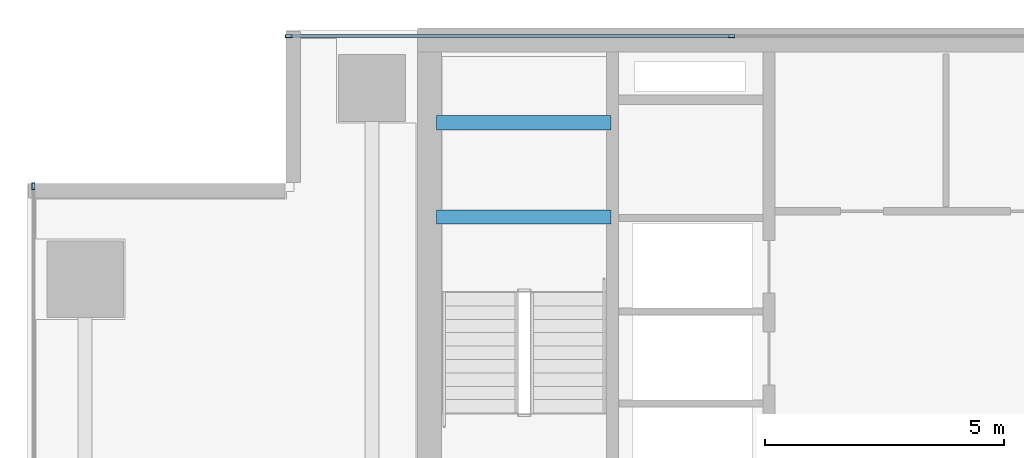
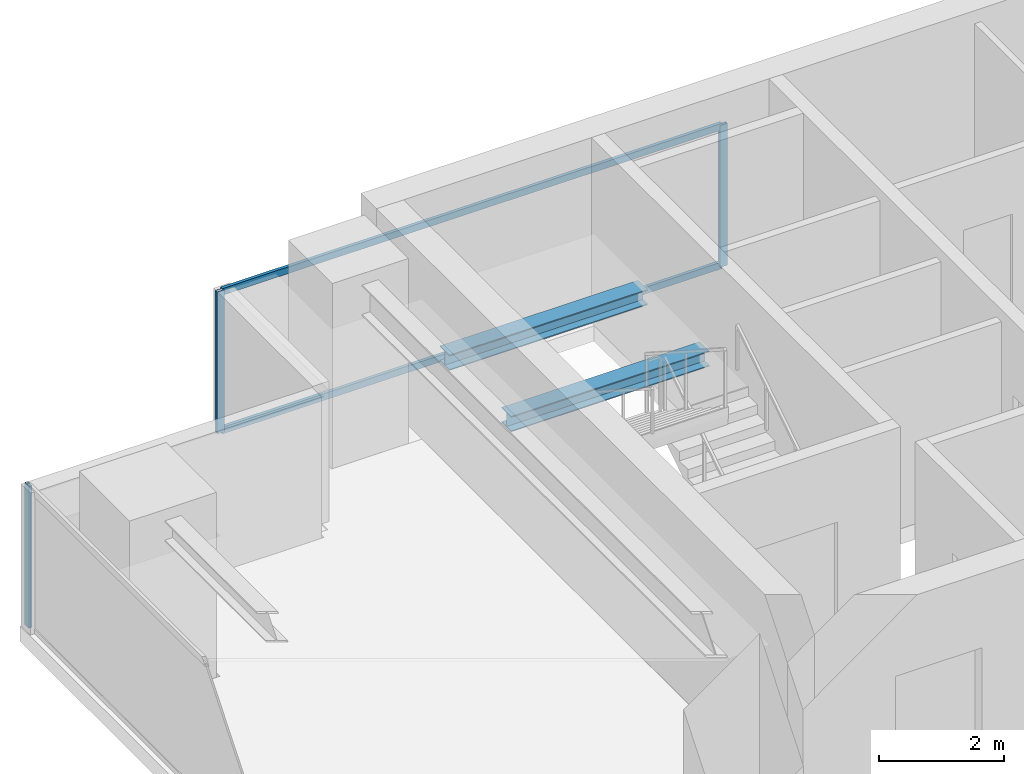
# One storey, part 19 of 30: 5 members, 2 beams, 2 elements without a shape of their own.
"""IFC4 building model written with IfcOpenShell, lengths in metres."""

from ifc_helpers import new_model, si_unit, direction, frame, origin, origin_2d, place, context, subcontext, project, spatial, hollow_rectangle, i_section, extrude, source, transform, mapped, material, layer, layer_set, material_profile, profile_set, type_object, element, aggregate, save


model = new_model("IFC4")

# Units and contexts
model_context = context("Model", 3, precision=1e-05, world=origin(), true_north=direction((0.0, 1.0)))
body_context = subcontext(model_context, "Body", "Model", "MODEL_VIEW")
ifc_project = project(units=[si_unit("LENGTHUNIT", "METRE"), si_unit("AREAUNIT", "SQUARE_METRE"), si_unit("VOLUMEUNIT", "CUBIC_METRE"), si_unit("PLANEANGLEUNIT", "RADIAN"), si_unit("MASSUNIT", "GRAM", prefix="KILO")], contexts=[model_context])

# Site, building, storey
site_placement = place(None, origin())
site = spatial("IfcSite", under=ifc_project, at=site_placement, CompositionType="ELEMENT")
building_placement = place(site_placement, origin())
building = spatial("IfcBuilding", under=site, at=building_placement, Name="Sumidabori Civic Tower", CompositionType="ELEMENT")
storey_placement = place(building_placement, frame((0.0, 0.0, 196.39990234375)))
storey = spatial("IfcBuildingStorey", under=building, at=storey_placement, Name="L50", CompositionType="ELEMENT", Elevation=196.39990234375)

# Beams
ifc_material_1 = material(Name="Steel SN490", Category="steel")
ifc_material_profile_1 = material_profile(ifc_material_1, i_section(OverallWidth=0.300048828125, OverallDepth=0.300048828125, WebThickness=0.010986328125, FlangeThickness=0.01904296875, at=origin_2d()), Name="HE 300 B")
ifc_profile_set_1 = profile_set([ifc_material_profile_1], Name="Steel SN490")
beam_type = type_object("IfcBeamType", Name="BM-LDG-300", PredefinedType="BEAM", material=ifc_profile_set_1)
shared_shape_1 = source(origin(), body_context, "Body", "SweptSolid", [
    extrude(i_section(OverallWidth=0.300048828125, OverallDepth=0.300048828125, WebThickness=0.010986328125, FlangeThickness=0.01904296875, at=origin_2d()), origin(), (0.0, 0.0, 1.0), 3.64990234375),
])
for number, where, z_axis, x_axis, name in (
    (1, (-15.449951171875, 20.09765625, 1.4501953125), (1.0, 0.0, 0.0), (0.0, 1.0, 0.0), "Stair ST-1 Landing Support Beam L50-1A"),
    (2, (-15.449951171875, 22.069580078125, 1.4501953125), (1.0, 0.0, 0.0), (0.0, 1.0, 0.0), "Stair ST-1 Landing Trimmer Beam L50-1B"),
):
    element("IfcBeam", number, at=place(storey_placement, frame(where, z_axis=z_axis, x_axis=x_axis)), inside=storey, type_object=beam_type, Name=name, PredefinedType="BEAM", context=body_context, shape_type="MappedRepresentation", body=[
        mapped(shared_shape_1, transform((0.0, 0.0, 0.0), x_axis=(1.0, 0.0, 0.0), y_axis=(0.0, 1.0, 0.0), z_axis=(0.0, 0.0, 1.0), scale=1.0)),
    ])

# Curtain wall, members
ifc_material_2 = material(Name="Anodised Bronze Aluminium AW-6063-T6", Category="aluminium")
ifc_layer = layer(ifc_material_2, 0.179931640625, Name="Anodised Bronze Aluminium AW-6063-T6")
ifc_layer_set = layer_set([ifc_layer], Name="Anodised Bronze Aluminium AW-6063-T6")
curtain_wall_type = type_object("IfcCurtainWallType", Name="CW-SYS-5", PredefinedType="NOTDEFINED", material=ifc_layer_set)
curtain_wall_1_placement = place(storey_placement, origin())
curtain_wall_1 = element("IfcCurtainWall", 3, at=curtain_wall_1_placement, inside=storey, type_object=curtain_wall_type, Name="Curtain Wall CW:L50:R13", PredefinedType="NOTDEFINED")
ifc_material_profile_2 = material_profile(ifc_material_2, hollow_rectangle(XDim=0.06005859375, YDim=0.139892578125, WallThickness=0.0048828125, at=origin_2d()), Name="ALU MULLION 140x60")
ifc_profile_set_2 = profile_set([ifc_material_profile_2], Name="Anodised Bronze Aluminium AW-6063-T6")
member_type_1 = type_object("IfcMemberType", Name="CW-MUL-140", PredefinedType="MULLION", material=ifc_profile_set_2)
shared_shape_2 = source(origin(), body_context, "Body", "SweptSolid", [
    extrude(hollow_rectangle(XDim=0.06005859375, YDim=0.139892578125, WallThickness=0.0048828125, at=origin_2d()), origin(), (0.0, 0.0, 1.0), 2.760009765625),
])
member_1_placement = place(storey_placement, frame((-9.284912109375, 23.8798828125, 0.0), z_axis=(0.0, 0.0, 1.0), x_axis=(0.0, -1.0, 0.0)))
member_1 = element("IfcMember", 4, at=member_1_placement, type_object=member_type_1, Name="CW-5 mullion 4", PredefinedType="MULLION", context=body_context, shape_type="MappedRepresentation", body=[
    mapped(shared_shape_2, transform((0.0, 0.0, 0.0), x_axis=(1.0, 0.0, 0.0), y_axis=(0.0, 1.0, 0.0), z_axis=(0.0, 0.0, 1.0), scale=1.0)),
])
member_2_placement = place(storey_placement, frame((-18.5400390625, 23.8798828125, 0.0), z_axis=(0.0, 0.0, 1.0), x_axis=(0.0, -1.0, 0.0)))
member_2 = element("IfcMember", 5, at=member_2_placement, type_object=member_type_1, Name="CW-5 mullion 5", PredefinedType="MULLION", context=body_context, shape_type="MappedRepresentation", body=[
    mapped(shared_shape_2, transform((0.0, 0.0, 0.0), x_axis=(1.0, 0.0, 0.0), y_axis=(0.0, 1.0, 0.0), z_axis=(0.0, 0.0, 1.0), scale=1.0)),
])

# Curtain wall, member
curtain_wall_2_placement = place(storey_placement, origin())
curtain_wall_2 = element("IfcCurtainWall", 6, at=curtain_wall_2_placement, inside=storey, type_object=curtain_wall_type, Name="Curtain Wall CW:L50:R16", PredefinedType="NOTDEFINED")
member_3_placement = place(storey_placement, frame((-23.8798828125, 20.739990234375, 0.0), z_axis=(0.0, 0.0, 1.0), x_axis=(1.0, 0.0, 0.0)))
member_3 = element("IfcMember", 7, at=member_3_placement, type_object=member_type_1, Name="CW-5 mullion 1", PredefinedType="MULLION", context=body_context, shape_type="MappedRepresentation", body=[
    mapped(shared_shape_2, transform((0.0, 0.0, 0.0), x_axis=(1.0, 0.0, 0.0), y_axis=(0.0, 1.0, 0.0), z_axis=(0.0, 0.0, 1.0), scale=1.0)),
])
aggregate(curtain_wall_2, [member_3])

# Member
ifc_material_profile_3 = material_profile(ifc_material_2, hollow_rectangle(XDim=0.06005859375, YDim=0.1298828125, WallThickness=0.0048828125, at=origin_2d()), Name="ALU TRANSOM 130x60")
ifc_profile_set_3 = profile_set([ifc_material_profile_3], Name="Anodised Bronze Aluminium AW-6063-T6")
member_type_2 = type_object("IfcMemberType", Name="CW-TRN-130", PredefinedType="USERDEFINED", material=ifc_profile_set_3)
shared_shape_3 = source(origin(), body_context, "Body", "SweptSolid", [
    extrude(hollow_rectangle(XDim=0.06005859375, YDim=0.1298828125, WallThickness=0.0048828125, at=origin_2d()), origin(), (0.0, 0.0, 1.0), 9.195068359375),
])
member_4_placement = place(storey_placement, frame((-9.31494140625, 23.8798828125, 0.030029296875), z_axis=(-1.0, 0.0, 0.0), x_axis=(0.0, -1.0, 0.0)))
member_4 = element("IfcMember", 8, at=member_4_placement, type_object=member_type_2, Name="CW-5 transom 4.1", ObjectType="TRANSOM", PredefinedType="USERDEFINED", context=body_context, shape_type="MappedRepresentation", body=[
    mapped(shared_shape_3, transform((0.0, 0.0, 0.0), x_axis=(1.0, 0.0, 0.0), y_axis=(0.0, 1.0, 0.0), z_axis=(0.0, 0.0, 1.0), scale=1.0)),
])

member_5_placement = place(storey_placement, frame((-9.31494140625, 23.8798828125, 2.72998046875), z_axis=(-1.0, 0.0, 0.0), x_axis=(0.0, -1.0, 0.0)))
member_5 = element("IfcMember", 9, at=member_5_placement, type_object=member_type_2, Name="CW-5 transom 4.2", ObjectType="TRANSOM", PredefinedType="USERDEFINED", context=body_context, shape_type="MappedRepresentation", body=[
    mapped(shared_shape_3, transform((0.0, 0.0, 0.0), x_axis=(1.0, 0.0, 0.0), y_axis=(0.0, 1.0, 0.0), z_axis=(0.0, 0.0, 1.0), scale=1.0)),
])

aggregate(curtain_wall_1, [member_1, member_2, member_4, member_5])

save(model, "model.ifc")
